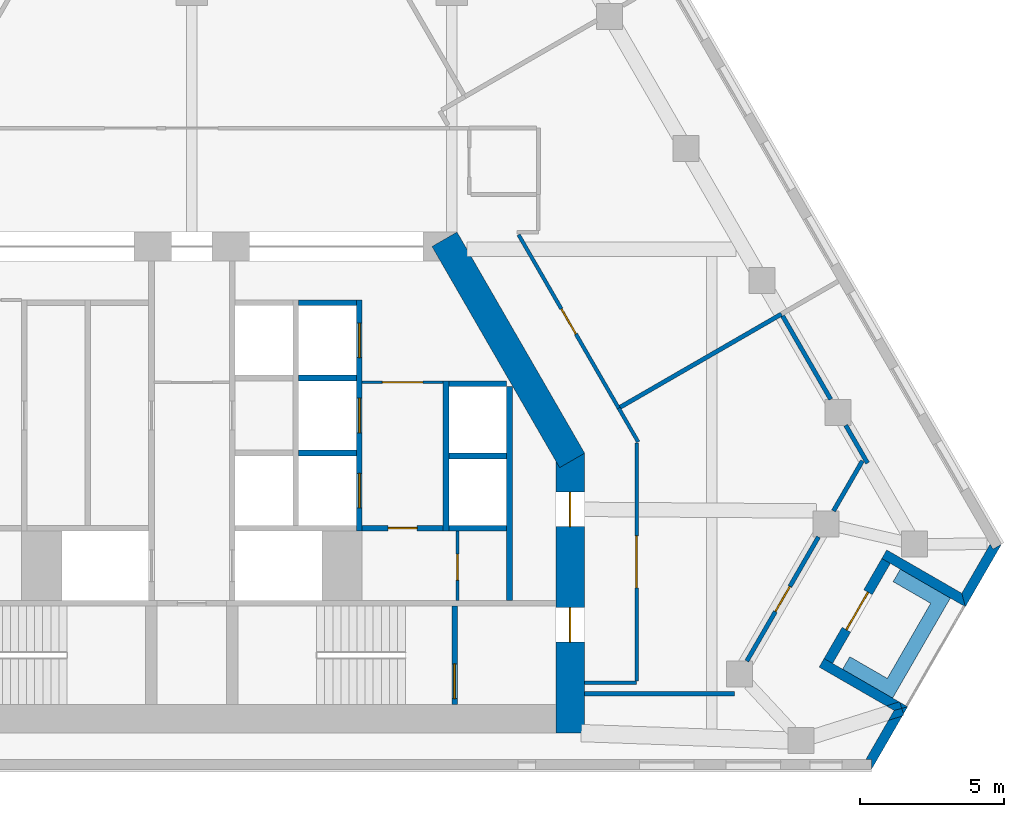
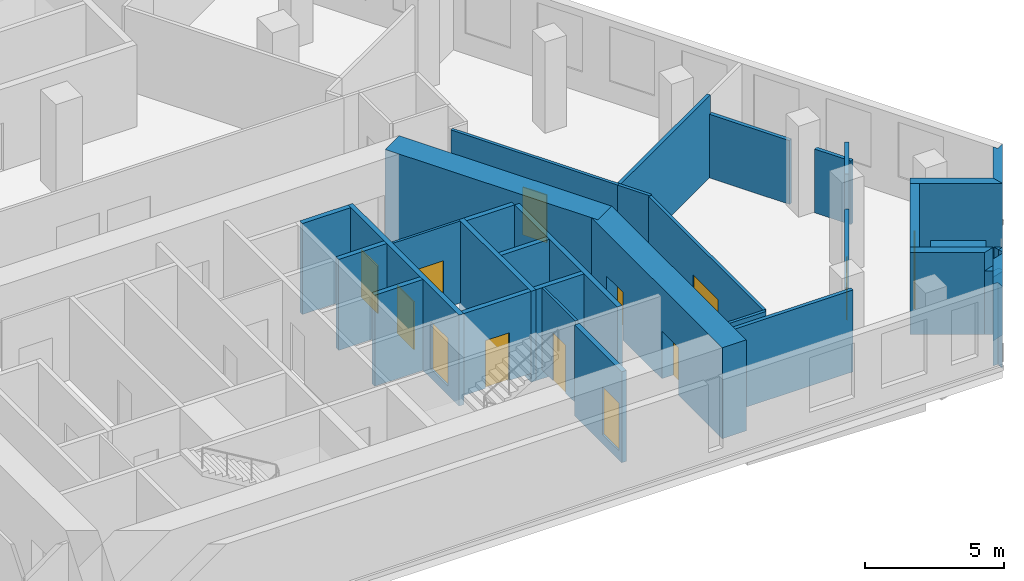
# One storey, part 6 of 9: 35 walls, 13 doors, 13 openings.
"""IFC4 building model written with IfcOpenShell, lengths in metres."""

from ifc_helpers import new_model, si_unit, direction, frame, frame_2d, origin, place, context, subcontext, project, spatial, polyline, rectangle, outline, extrude, material, layer, layer_set, type_object, element, fill, save


model = new_model("IFC4")

# Units and contexts
model_context = context("Model", 3, precision=1e-05, world=origin(), true_north=direction((0.0, 1.0)))
body_context = subcontext(model_context, "Body", "Model", "MODEL_VIEW")
ifc_project = project(units=[si_unit("LENGTHUNIT", "METRE"), si_unit("AREAUNIT", "SQUARE_METRE"), si_unit("VOLUMEUNIT", "CUBIC_METRE"), si_unit("PLANEANGLEUNIT", "RADIAN"), si_unit("MASSUNIT", "GRAM", prefix="KILO")], contexts=[model_context])

# Site, building, storey
site_placement = place(None, origin())
site = spatial("IfcSite", under=ifc_project, at=site_placement, CompositionType="ELEMENT")
building_placement = place(site_placement, origin())
building = spatial("IfcBuilding", under=site, at=building_placement, Name="Fogline Exchange Tower", CompositionType="ELEMENT")
storey_placement = place(building_placement, frame((0.0, 0.0, 186.10009765625)))
storey = spatial("IfcBuildingStorey", under=building, at=storey_placement, Name="L41", CompositionType="ELEMENT", Elevation=186.10009765625)

# Wall, opening, door
ifc_material_1 = material(Name="Blockwork partition", Category="masonry")
ifc_layer_1 = layer(ifc_material_1, 0.10009765625)
ifc_layer_set_1 = layer_set([ifc_layer_1], Name="CW10")
wall_type_1 = type_object("IfcWallType", Name="CW10", PredefinedType="PARTITIONING", material=ifc_layer_set_1)
wall_1_placement = place(storey_placement, frame((5.89990234375, 13.39990234375, 0.0), z_axis=(0.0, 0.0, 1.0), x_axis=(1.0, 0.0, 0.0)))
wall_1 = element("IfcWall", 1, at=wall_1_placement, inside=storey, type_object=wall_type_1, Name="Lift lobby partition", PredefinedType="PARTITIONING", context=body_context, shape_type="SweptSolid", body=[
    extrude(rectangle(XDim=2.800048828125, YDim=0.10009765625, at=frame_2d((1.39990234375, 0.0))), origin(), (0.0, 0.0, 1.0), 3.599853515625),
])
opening_1_placement = place(wall_1_placement, frame((0.699951171875, 0.0, 0.0)))
opening_1 = element("IfcOpeningElement", 2, at=opening_1_placement, cuts=wall_1, Name="Opening T13-C012", PredefinedType="OPENING", context=body_context, shape_type="SweptSolid", body=[
    extrude(rectangle(XDim=1.39990234375, YDim=2.10009765625, at=frame_2d((0.699951171875, 1.050048828125))), frame((0.0, 0.06005859375, 0.0), z_axis=(0.0, -1.0, 0.0), x_axis=(1.0, 0.0, 0.0)), (0.0, 0.0, 1.0), 0.1201171875),
])
ifc_material_2 = material(Name="Steel and timber fire door", Category="steel")
door_type_1 = type_object("IfcDoorType", Name="D-LB1", OperationType="DOUBLE_DOOR_SINGLE_SWING", PredefinedType="DOOR", material=ifc_material_2)
door_1_placement = place(opening_1_placement, frame((1.39990234375, 0.0, 0.0), z_axis=(0.0, 0.0, 1.0), x_axis=(-1.0, 0.0, 0.0)))
door_1 = element("IfcDoor", 3, at=door_1_placement, inside=storey, type_object=door_type_1, Name="Door to lift lobby", OperationType="DOUBLE_DOOR_SINGLE_SWING", OverallHeight=2.10009765625, OverallWidth=1.39990234375, PredefinedType="DOOR", context=body_context, shape_type="SweptSolid", body=[
    extrude(rectangle(XDim=1.39990234375, YDim=2.10009765625, at=frame_2d((0.699951171875, 1.050048828125))), frame((0.0, 0.02490234375, 0.0), z_axis=(0.0, -1.0, 0.0), x_axis=(1.0, 0.0, 0.0)), (0.0, 0.0, 1.0), 0.050048828125),
])
fill(opening_1, door_1)

wall_2_placement = place(storey_placement, frame((9.199951171875, 5.85009765625, 0.0), z_axis=(0.0, 0.0, 1.0), x_axis=(0.0, 1.0, 0.0)))
wall_2 = element("IfcWall", 4, at=wall_2_placement, inside=storey, type_object=wall_type_1, Name="WC partition", PredefinedType="PARTITIONING", context=body_context, shape_type="SweptSolid", body=[
    extrude(rectangle(XDim=2.39990234375, YDim=0.10009765625, at=frame_2d((1.199951171875, 0.0))), origin(), (0.0, 0.0, 1.0), 3.599853515625),
])
opening_2_placement = place(wall_2_placement, frame((0.699951171875, 0.0, 0.0)))
opening_2 = element("IfcOpeningElement", 5, at=opening_2_placement, cuts=wall_2, Name="Opening T13-C014", PredefinedType="OPENING", context=body_context, shape_type="SweptSolid", body=[
    extrude(rectangle(XDim=0.89990234375, YDim=2.10009765625, at=frame_2d((0.449951171875, 1.050048828125))), frame((0.0, 0.06005859375, 0.0), z_axis=(0.0, -1.0, 0.0), x_axis=(1.0, 0.0, 0.0)), (0.0, 0.0, 1.0), 0.1201171875),
])
door_type_2 = type_object("IfcDoorType", Name="D-CS1", OperationType="SINGLE_SWING_RIGHT", PredefinedType="DOOR", material=ifc_material_2)
door_2_placement = place(opening_2_placement, frame((0.89990234375, 0.0, 0.0), z_axis=(0.0, 0.0, 1.0), x_axis=(-1.0, 0.0, 0.0)))
door_2 = element("IfcDoor", 6, at=door_2_placement, inside=storey, type_object=door_type_2, Name="Door to Cleaner's Store", OperationType="SINGLE_SWING_RIGHT", OverallHeight=2.10009765625, OverallWidth=0.89990234375, PredefinedType="DOOR", context=body_context, shape_type="SweptSolid", body=[
    extrude(rectangle(XDim=0.89990234375, YDim=2.10009765625, at=frame_2d((0.449951171875, 1.050048828125))), frame((0.0, 0.02490234375, 0.0), z_axis=(0.0, -1.0, 0.0), x_axis=(1.0, 0.0, 0.0)), (0.0, 0.0, 1.0), 0.050048828125),
])
fill(opening_2, door_2)

# Wall
ifc_material_3 = material(Name="Concrete C40", Category="concrete")
ifc_layer_2 = layer(ifc_material_3, 0.199951171875)
ifc_layer_set_2 = layer_set([ifc_layer_2], Name="CW20")
wall_type_2 = type_object("IfcWallType", Name="CW20", PredefinedType="SOLIDWALL", material=ifc_layer_set_2)
wall_3_placement = place(storey_placement, frame((11.0, 5.85009765625, 0.0), z_axis=(0.0, 0.0, 1.0), x_axis=(0.0, 1.0, 0.0)))
element("IfcWall", 7, at=wall_3_placement, inside=storey, type_object=wall_type_2, Name="Service room wall", PredefinedType="SOLIDWALL", context=body_context, shape_type="SweptSolid", body=[
    extrude(rectangle(XDim=7.39990234375, YDim=0.199951171875, at=frame_2d((3.699951171875, 0.0))), origin(), (0.0, 0.0, 1.0), 3.599853515625),
])

# Wall, opening, door
wall_4_placement = place(storey_placement, frame((5.89990234375, 8.35009765625, 0.0), z_axis=(0.0, 0.0, 1.0), x_axis=(1.0, 0.0, 0.0)))
wall_4 = element("IfcWall", 8, at=wall_4_placement, inside=storey, type_object=wall_type_2, Name="WC wall", PredefinedType="SOLIDWALL", context=body_context, shape_type="SweptSolid", body=[
    extrude(rectangle(XDim=2.800048828125, YDim=0.199951171875, at=frame_2d((1.39990234375, 0.0))), origin(), (0.0, 0.0, 1.0), 3.599853515625),
])
opening_3_placement = place(wall_4_placement, frame((0.89990234375, 0.0, 0.0)))
opening_3 = element("IfcOpeningElement", 9, at=opening_3_placement, cuts=wall_4, Name="Opening T13-C013", PredefinedType="OPENING", context=body_context, shape_type="SweptSolid", body=[
    extrude(rectangle(XDim=1.0, YDim=2.10009765625, at=frame_2d((0.5, 1.050048828125))), frame((0.0, 0.10986328125, 0.0), z_axis=(0.0, -1.0, 0.0), x_axis=(1.0, 0.0, 0.0)), (0.0, 0.0, 1.0), 0.219970703125),
])
door_type_3 = type_object("IfcDoorType", Name="D-WC1", OperationType="SINGLE_SWING_LEFT", PredefinedType="DOOR", material=ifc_material_2)
door_3_placement = place(opening_3_placement, frame((1.0, 0.0, 0.0), z_axis=(0.0, 0.0, 1.0), x_axis=(-1.0, 0.0, 0.0)))
door_3 = element("IfcDoor", 10, at=door_3_placement, inside=storey, type_object=door_type_3, Name="Door to Women's WC", OperationType="SINGLE_SWING_LEFT", OverallHeight=2.10009765625, OverallWidth=1.0, PredefinedType="DOOR", context=body_context, shape_type="SweptSolid", body=[
    extrude(rectangle(XDim=1.0, YDim=2.10009765625, at=frame_2d((0.5, 1.050048828125))), frame((0.0, 0.02490234375, 0.0), z_axis=(0.0, -1.0, 0.0), x_axis=(1.0, 0.0, 0.0)), (0.0, 0.0, 1.0), 0.050048828125),
])
fill(opening_3, door_3)

ifc_layer_3 = layer(ifc_material_3, 0.199951171875)
ifc_layer_set_3 = layer_set([ifc_layer_3], Name="CW20R")
wall_type_3 = type_object("IfcWallType", Name="CW20R", PredefinedType="SOLIDWALL", material=ifc_layer_set_3)
wall_5_placement = place(storey_placement, frame((9.10009765625, 2.25, -0.400146484375), z_axis=(0.0, 0.0, 1.0), x_axis=(0.0, 1.0, 0.0)))
wall_5 = element("IfcWall", 11, at=wall_5_placement, inside=storey, type_object=wall_type_3, Name="Stair enclosure wall", PredefinedType="SOLIDWALL", context=body_context, shape_type="SweptSolid", body=[
    extrude(rectangle(XDim=3.39990234375, YDim=0.199951171875, at=frame_2d((1.699951171875, 0.0))), origin(), (0.0, 0.0, 1.0), 4.0),
])
opening_4_placement = place(wall_5_placement, frame((0.199951171875, 0.0, 0.39990234375)))
opening_4 = element("IfcOpeningElement", 12, at=opening_4_placement, cuts=wall_5, Name="Opening T13-C016", PredefinedType="OPENING", context=body_context, shape_type="SweptSolid", body=[
    extrude(rectangle(XDim=1.199951171875, YDim=2.10009765625, at=frame_2d((0.60009765625, 1.050048828125))), frame((0.0, 0.10986328125, 0.0), z_axis=(0.0, -1.0, 0.0), x_axis=(1.0, 0.0, 0.0)), (0.0, 0.0, 1.0), 0.219970703125),
])
door_type_4 = type_object("IfcDoorType", Name="D-ST1", OperationType="SINGLE_SWING_LEFT", PredefinedType="DOOR", material=ifc_material_2)
door_4_placement = place(opening_4_placement, origin())
door_4 = element("IfcDoor", 13, at=door_4_placement, inside=storey, type_object=door_type_4, Name="Stair door ST2", OperationType="SINGLE_SWING_LEFT", OverallHeight=2.10009765625, OverallWidth=1.199951171875, PredefinedType="DOOR", context=body_context, shape_type="SweptSolid", body=[
    extrude(rectangle(XDim=1.199951171875, YDim=2.10009765625, at=frame_2d((0.60009765625, 1.050048828125))), frame((0.0, 0.02490234375, 0.0), z_axis=(0.0, -1.0, 0.0), x_axis=(1.0, 0.0, 0.0)), (0.0, 0.0, 1.0), 0.050048828125),
])
fill(opening_4, door_4)

# Wall
ifc_layer_4 = layer(ifc_material_3, 0.199951171875)
ifc_layer_set_4 = layer_set([ifc_layer_4], Name="CW20S")
wall_type_4 = type_object("IfcWallType", Name="CW20S", PredefinedType="SOLIDWALL", material=ifc_layer_set_4)
wall_6_placement = place(storey_placement, frame((8.800048828125, 8.25, -0.400146484375), z_axis=(0.0, 0.0, 1.0), x_axis=(0.0, 1.0, 0.0)))
element("IfcWall", 14, at=wall_6_placement, inside=storey, type_object=wall_type_4, Name="Lift shaft wall", PredefinedType="SOLIDWALL", context=body_context, shape_type="SweptSolid", body=[
    extrude(rectangle(XDim=5.199951171875, YDim=0.199951171875, at=frame_2d((2.60009765625, 0.0))), origin(), (0.0, 0.0, 1.0), 4.0),
])

# Wall, openings, doors
wall_7_placement = place(storey_placement, frame((5.800048828125, 8.25, -0.400146484375), z_axis=(0.0, 0.0, 1.0), x_axis=(0.0, 1.0, 0.0)))
wall_7 = element("IfcWall", 15, at=wall_7_placement, inside=storey, type_object=wall_type_4, Name="Lift shaft wall", PredefinedType="SOLIDWALL", context=body_context, shape_type="SweptSolid", body=[
    extrude(rectangle(XDim=8.0, YDim=0.199951171875, at=frame_2d((4.0, 0.0))), origin(), (0.0, 0.0, 1.0), 4.0),
])
opening_5_placement = place(wall_7_placement, frame((0.800048828125, 0.0, 0.39990234375)))
opening_5 = element("IfcOpeningElement", 16, at=opening_5_placement, cuts=wall_7, Name="Opening T13-LD02", PredefinedType="OPENING", context=body_context, shape_type="SweptSolid", body=[
    extrude(rectangle(XDim=1.199951171875, YDim=2.10009765625, at=frame_2d((0.60009765625, 1.050048828125))), frame((0.0, 0.10986328125, 0.0), z_axis=(0.0, -1.0, 0.0), x_axis=(1.0, 0.0, 0.0)), (0.0, 0.0, 1.0), 0.219970703125),
])
opening_6_placement = place(wall_7_placement, frame((3.39990234375, 0.0, 0.39990234375)))
opening_6 = element("IfcOpeningElement", 17, at=opening_6_placement, cuts=wall_7, Name="Opening T13-LD03", PredefinedType="OPENING", context=body_context, shape_type="SweptSolid", body=[
    extrude(rectangle(XDim=1.199951171875, YDim=2.10009765625, at=frame_2d((0.60009765625, 1.050048828125))), frame((0.0, 0.10986328125, 0.0), z_axis=(0.0, -1.0, 0.0), x_axis=(1.0, 0.0, 0.0)), (0.0, 0.0, 1.0), 0.219970703125),
])
opening_7_placement = place(wall_7_placement, frame((6.0, 0.0, 0.39990234375)))
opening_7 = element("IfcOpeningElement", 18, at=opening_7_placement, cuts=wall_7, Name="Opening T13-LD04", PredefinedType="OPENING", context=body_context, shape_type="SweptSolid", body=[
    extrude(rectangle(XDim=1.199951171875, YDim=2.10009765625, at=frame_2d((0.60009765625, 1.050048828125))), frame((0.0, 0.10986328125, 0.0), z_axis=(0.0, -1.0, 0.0), x_axis=(1.0, 0.0, 0.0)), (0.0, 0.0, 1.0), 0.219970703125),
])
door_type_5 = type_object("IfcDoorType", Name="LD1", OperationType="SLIDING_TO_LEFT", PredefinedType="DOOR", material=ifc_material_2)
door_5_placement = place(opening_5_placement, origin())
door_5 = element("IfcDoor", 19, at=door_5_placement, inside=storey, type_object=door_type_5, Name="Landing door MR1", OperationType="SLIDING_TO_LEFT", OverallHeight=2.10009765625, OverallWidth=1.199951171875, PredefinedType="DOOR", context=body_context, shape_type="SweptSolid", body=[
    extrude(rectangle(XDim=1.199951171875, YDim=2.10009765625, at=frame_2d((0.60009765625, 1.050048828125))), frame((0.0, 0.02490234375, 0.0), z_axis=(0.0, -1.0, 0.0), x_axis=(1.0, 0.0, 0.0)), (0.0, 0.0, 1.0), 0.050048828125),
])
fill(opening_5, door_5)
door_6_placement = place(opening_6_placement, origin())
door_6 = element("IfcDoor", 20, at=door_6_placement, inside=storey, type_object=door_type_5, Name="Landing door MR2", OperationType="SLIDING_TO_LEFT", OverallHeight=2.10009765625, OverallWidth=1.199951171875, PredefinedType="DOOR", context=body_context, shape_type="SweptSolid", body=[
    extrude(rectangle(XDim=1.199951171875, YDim=2.10009765625, at=frame_2d((0.60009765625, 1.050048828125))), frame((0.0, 0.02490234375, 0.0), z_axis=(0.0, -1.0, 0.0), x_axis=(1.0, 0.0, 0.0)), (0.0, 0.0, 1.0), 0.050048828125),
])
fill(opening_6, door_6)
door_7_placement = place(opening_7_placement, origin())
door_7 = element("IfcDoor", 21, at=door_7_placement, inside=storey, type_object=door_type_5, Name="Landing door MR3", OperationType="SLIDING_TO_LEFT", OverallHeight=2.10009765625, OverallWidth=1.199951171875, PredefinedType="DOOR", context=body_context, shape_type="SweptSolid", body=[
    extrude(rectangle(XDim=1.199951171875, YDim=2.10009765625, at=frame_2d((0.60009765625, 1.050048828125))), frame((0.0, 0.02490234375, 0.0), z_axis=(0.0, -1.0, 0.0), x_axis=(1.0, 0.0, 0.0)), (0.0, 0.0, 1.0), 0.050048828125),
])
fill(opening_7, door_7)

# Walls
for number, where, z_axis, x_axis, name in (
    (22, (8.89990234375, 8.35009765625, -0.400146484375), (0.0, 0.0, 1.0), (1.0, 0.0, 0.0), "Lift shaft wall"),
    (23, (8.89990234375, 10.85009765625, -0.400146484375), (0.0, 0.0, 1.0), (1.0, 0.0, 0.0), "Lift shaft wall"),
    (24, (8.89990234375, 13.35009765625, -0.400146484375), (0.0, 0.0, 1.0), (1.0, 0.0, 0.0), "Lift shaft wall"),
    (25, (3.699951171875, 10.949951171875, -0.400146484375), (0.0, 0.0, 1.0), (1.0, 0.0, 0.0), "Lift shaft wall"),
    (26, (3.699951171875, 13.550048828125, -0.400146484375), (0.0, 0.0, 1.0), (1.0, 0.0, 0.0), "Lift shaft wall"),
    (27, (3.699951171875, 16.14990234375, -0.400146484375), (0.0, 0.0, 1.0), (1.0, 0.0, 0.0), "Lift shaft wall"),
):
    element("IfcWall", number, at=place(storey_placement, frame(where, z_axis=z_axis, x_axis=x_axis)), inside=storey, type_object=wall_type_4, Name=name, PredefinedType="SOLIDWALL", context=body_context, shape_type="SweptSolid", body=[
        extrude(rectangle(XDim=2.0, YDim=0.199951171875, at=frame_2d((1.0, 0.0))), origin(), (0.0, 0.0, 1.0), 4.0),
    ])
ifc_material_4 = material(Name="Brick masonry", Category="masonry")
ifc_layer_5 = layer(ifc_material_4, 0.340087890625)
ifc_layer_set_5 = layer_set([ifc_layer_5], Name="FW1")
wall_type_5 = type_object("IfcWallType", Name="FW1", PredefinedType="SOLIDWALL", material=ifc_layer_set_5)
wall_8_placement = place(storey_placement, origin())
element("IfcWall", 28, at=wall_8_placement, inside=storey, type_object=wall_type_5, Name="Brick wall L41 SE-c1", PredefinedType="SOLIDWALL", context=body_context, shape_type="SweptSolid", body=[
    extrude(outline(polyline([(24.598388671875, 1.846923828125), (24.1162109375, 1.694580078125), (24.31640625, 2.041015625), (24.577880859375, 2.111083984375), (24.63916015625, 1.917724609375), (24.598388671875, 1.846923828125)])), origin(), (0.0, 0.0, 1.0), 2.7998046875),
])
wall_9_placement = place(storey_placement, origin())
element("IfcWall", 29, at=wall_9_placement, inside=storey, type_object=wall_type_5, Name="Brick wall L41 SE-c1", PredefinedType="SOLIDWALL", context=body_context, shape_type="SweptSolid", body=[
    extrude(outline(polyline([(24.63916015625, 1.917724609375), (24.577880859375, 2.111083984375), (24.7822265625, 2.166015625), (24.782470703125, 2.165771484375), (24.63916015625, 1.917724609375)])), origin(), (0.0, 0.0, 1.0), 3.599853515625),
])
wall_10_placement = place(storey_placement, origin())
element("IfcWall", 30, at=wall_10_placement, inside=storey, type_object=wall_type_5, Name="Brick wall L41 SE-c1", PredefinedType="SOLIDWALL", context=body_context, shape_type="SweptSolid", body=[
    extrude(outline(polyline([(23.53125, -0.001220703125), (23.53076171875, -0.0009765625), (23.53076171875, 0.33935546875), (23.333984375, 0.33935546875), (24.1162109375, 1.694580078125), (24.598388671875, 1.846923828125), (23.53125, -0.001220703125)])), origin(), (0.0, 0.0, 1.0), 3.599853515625),
])
wall_11_placement = place(storey_placement, origin())
element("IfcWall", 31, at=wall_11_placement, inside=storey, type_object=wall_type_5, Name="Brick wall L41 SE-s1", PredefinedType="SOLIDWALL", context=body_context, shape_type="SweptSolid", body=[
    extrude(outline(polyline([(24.511474609375, 2.321533203125), (24.578369140625, 2.110107421875), (24.31689453125, 2.0400390625), (24.045654296875, 2.196533203125), (24.486328125, 2.3359375), (24.511474609375, 2.321533203125)])), origin(), (0.0, 0.0, 1.0), 2.7998046875),
])
wall_12_placement = place(storey_placement, origin())
element("IfcWall", 32, at=wall_12_placement, inside=storey, type_object=wall_type_5, Name="Brick wall L41 SE-s1", PredefinedType="SOLIDWALL", context=body_context, shape_type="SweptSolid", body=[
    extrude(outline(polyline([(21.888671875, 3.8359375), (22.18359375, 3.66552734375), (24.486328125, 2.3359375), (24.045654296875, 2.196533203125), (21.718017578125, 3.540283203125), (21.888671875, 3.8359375)])), origin(), (0.0, 0.0, 1.0), 3.599853515625),
])
wall_13_placement = place(storey_placement, origin())
element("IfcWall", 33, at=wall_13_placement, inside=storey, type_object=wall_type_5, Name="Brick wall L41 SE-s1", PredefinedType="SOLIDWALL", context=body_context, shape_type="SweptSolid", body=[
    extrude(outline(polyline([(24.782470703125, 2.1650390625), (24.782470703125, 2.164794921875), (24.578369140625, 2.110107421875), (24.511474609375, 2.321533203125), (24.782470703125, 2.1650390625)])), origin(), (0.0, 0.0, 1.0), 3.599853515625),
])

# Wall, opening, door
wall_14_placement = place(storey_placement, frame((22.035888671875, 3.75, 0.0), z_axis=(0.0, 0.0, 1.0), x_axis=(0.49999894854, 0.866026010844, 0.0)))
wall_14 = element("IfcWall", 34, at=wall_14_placement, inside=storey, type_object=wall_type_5, Name="Brick wall L41 SE-bk", PredefinedType="SOLIDWALL", context=body_context, shape_type="SweptSolid", body=[
    extrude(rectangle(XDim=4.0, YDim=0.340087890625, at=frame_2d((2.0, 0.0))), origin(), (0.0, 0.0, 1.0), 3.599853515625),
])
opening_8_placement = place(wall_14_placement, frame((1.25, 0.0, 0.0)))
opening_8 = element("IfcOpeningElement", 35, at=opening_8_placement, cuts=wall_14, Name="Opening T13-E081", PredefinedType="OPENING", context=body_context, shape_type="SweptSolid", body=[
    extrude(rectangle(XDim=1.5, YDim=2.39990234375, at=frame_2d((0.75, 1.199951171875))), frame((0.0, 0.18017578125, 0.0), z_axis=(0.0, -1.0, 0.0), x_axis=(1.0, 0.0, 0.0)), (0.0, 0.0, 1.0), 0.360107421875),
])
ifc_material_5 = material(Name="Aluminium and glass", Category="aluminium")
door_type_6 = type_object("IfcDoorType", Name="ED4", OperationType="SINGLE_SWING_LEFT", PredefinedType="DOOR", material=ifc_material_5)
door_8_placement = place(opening_8_placement, frame((1.5, 0.0, 0.0), z_axis=(0.0, 0.0, 1.0), x_axis=(-1.0, 0.0, 0.0)))
door_8 = element("IfcDoor", 36, at=door_8_placement, inside=storey, type_object=door_type_6, Name="Balcony door L41 SE", OperationType="DOUBLE_DOOR_SINGLE_SWING", OverallHeight=2.39990234375, OverallWidth=1.5, PredefinedType="DOOR", context=body_context, shape_type="SweptSolid", body=[
    extrude(rectangle(XDim=1.5, YDim=2.39990234375, at=frame_2d((0.75, 1.199951171875))), frame((0.0, 0.02490234375, 0.0), z_axis=(0.0, -1.0, 0.0), x_axis=(1.0, 0.0, 0.0)), (0.0, 0.0, 1.0), 0.050048828125),
])
fill(opening_8, door_8)

# Walls
wall_15_placement = place(storey_placement, origin())
element("IfcWall", 37, at=wall_15_placement, inside=storey, type_object=wall_type_5, Name="Brick wall L41 SE-s2", PredefinedType="SOLIDWALL", context=body_context, shape_type="SweptSolid", body=[
    extrude(outline(polyline([(26.781982421875, 5.628173828125), (24.182861328125, 7.128662109375), (23.887939453125, 7.298828125), (24.05859375, 7.594482421875), (26.657470703125, 6.093994140625), (26.7822265625, 5.62841796875), (26.781982421875, 5.628173828125)])), origin(), (0.0, 0.0, 1.0), 3.599853515625),
])
wall_16_placement = place(storey_placement, origin())
element("IfcWall", 38, at=wall_16_placement, inside=storey, type_object=wall_type_5, Name="Brick wall L41 SE-c2", PredefinedType="SOLIDWALL", context=body_context, shape_type="SweptSolid", body=[
    extrude(outline(polyline([(27.638671875, 7.79541015625), (27.737060546875, 7.625), (28.031982421875, 7.79541015625), (28.032470703125, 7.794921875), (26.78125, 5.6279296875), (26.781005859375, 5.6279296875), (26.65625, 6.09375), (27.638671875, 7.79541015625)])), origin(), (0.0, 0.0, 1.0), 3.599853515625),
])
ifc_material_6 = material(Name="Concrete C30", Category="concrete")
ifc_layer_6 = layer(ifc_material_6, 0.199951171875)
ifc_layer_set_6 = layer_set([ifc_layer_6], Name="PL1")
wall_type_6 = type_object("IfcWallType", Name="PL1", PredefinedType="USERDEFINED", material=ifc_layer_set_6)
wall_17_placement = place(storey_placement, origin())
element("IfcWall", 39, at=wall_17_placement, inside=storey, type_object=wall_type_6, Name="PLANTER balcony L41 SE", ObjectType="PLANTER", PredefinedType="USERDEFINED", context=body_context, shape_type="SweptSolid", body=[
    extrude(outline(polyline([(22.529541015625, 3.465087890625), (23.82861328125, 2.715087890625), (23.82861328125, 2.715087890625), (24.26171875, 2.465087890625), (26.01171875, 5.49609375), (26.26171875, 5.92919921875), (24.529541015625, 6.92919921875), (24.279541015625, 6.49609375), (25.57861328125, 5.74609375), (24.07861328125, 3.148193359375), (22.779541015625, 3.898193359375), (22.529541015625, 3.465087890625)])), origin(), (0.0, 0.0, 1.0), 1.099853515625),
])

# Wall, opening, door
ifc_material_7 = material(Name="Plasterboard corridor partition with mineral wool, 2 layers each side")
ifc_layer_7 = layer(ifc_material_7, 0.125)
ifc_layer_set_7 = layer_set([ifc_layer_7], Name="PW2")
wall_type_7 = type_object("IfcWallType", Name="PW2", PredefinedType="PARTITIONING", material=ifc_layer_set_7)
wall_18_placement = place(storey_placement, frame((11.3134765625, 18.505859375, 0.0), z_axis=(0.0, 0.0, 1.0), x_axis=(0.49999396906, -0.866028885721, 0.0)))
wall_18 = element("IfcWall", 40, at=wall_18_placement, inside=storey, type_object=wall_type_7, Name="wall-L41-W001", PredefinedType="PARTITIONING", context=body_context, shape_type="SweptSolid", body=[
    extrude(rectangle(XDim=6.92724609375, YDim=0.125, at=frame_2d((3.463623046875, 0.0))), origin(), (0.0, 0.0, 1.0), 3.599853515625),
])
opening_9_placement = place(wall_18_placement, frame((2.963623046875, 0.0, 0.0)))
opening_9 = element("IfcOpeningElement", 41, at=opening_9_placement, cuts=wall_18, Name="Opening T13-D001", PredefinedType="OPENING", context=body_context, shape_type="SweptSolid", body=[
    extrude(rectangle(XDim=1.0, YDim=2.10009765625, at=frame_2d((0.5, 1.050048828125))), frame((0.0, 0.072509765625, 0.0), z_axis=(0.0, -1.0, 0.0), x_axis=(1.0, 0.0, 0.0)), (0.0, 0.0, 1.0), 0.14501953125),
])
ifc_material_8 = material(Name="Fire-rated timber door leaf with steel frame", Category="steel")
door_type_7 = type_object("IfcDoorType", Name="D3", OperationType="SINGLE_SWING_LEFT", PredefinedType="DOOR", material=ifc_material_8)
door_9_placement = place(opening_9_placement, origin())
door_9 = element("IfcDoor", 42, at=door_9_placement, inside=storey, type_object=door_type_7, Name="door-L41-D001", OperationType="SINGLE_SWING_RIGHT", OverallHeight=2.10009765625, OverallWidth=1.0, PredefinedType="DOOR", context=body_context, shape_type="SweptSolid", body=[
    extrude(rectangle(XDim=1.0, YDim=2.10009765625, at=frame_2d((0.5, 1.050048828125))), frame((0.0, 0.02490234375, 0.0), z_axis=(0.0, -1.0, 0.0), x_axis=(1.0, 0.0, 0.0)), (0.0, 0.0, 1.0), 0.050048828125),
])
fill(opening_9, door_9)

# Wall
wall_19_placement = place(storey_placement, frame((14.777099609375, 12.506591796875, 0.0), z_axis=(0.0, 0.0, 1.0), x_axis=(0.500055336774, -0.865993452726, 0.0)))
element("IfcWall", 43, at=wall_19_placement, inside=storey, type_object=wall_type_7, Name="wall-L41-W002", PredefinedType="PARTITIONING", context=body_context, shape_type="SweptSolid", body=[
    extrude(rectangle(XDim=1.354248046875, YDim=0.125, at=frame_2d((0.67724609375, 0.0))), origin(), (0.0, 0.0, 1.0), 3.599853515625),
])

# Wall, opening, door
wall_20_placement = place(storey_placement, frame((15.39990234375, 11.302734375, 0.0), z_axis=(0.0, 0.0, 1.0), x_axis=(0.0, -1.0, 0.0)))
wall_20 = element("IfcWall", 44, at=wall_20_placement, inside=storey, type_object=wall_type_7, Name="wall-L41-W003", PredefinedType="PARTITIONING", context=body_context, shape_type="SweptSolid", body=[
    extrude(rectangle(XDim=8.240234375, YDim=0.125, at=frame_2d((4.1201171875, 0.0))), origin(), (0.0, 0.0, 1.0), 3.599853515625),
])
opening_10_placement = place(wall_20_placement, frame((3.22021484375, 0.0, 0.0)))
opening_10 = element("IfcOpeningElement", 45, at=opening_10_placement, cuts=wall_20, Name="Opening T13-D002", PredefinedType="OPENING", context=body_context, shape_type="SweptSolid", body=[
    extrude(rectangle(XDim=1.800048828125, YDim=2.10009765625, at=frame_2d((0.89990234375, 1.050048828125))), frame((0.0, 0.072509765625, 0.0), z_axis=(0.0, -1.0, 0.0), x_axis=(1.0, 0.0, 0.0)), (0.0, 0.0, 1.0), 0.14501953125),
])
ifc_material_9 = material(Name="Fire-rated timber door leaves with steel frame", Category="steel")
door_type_8 = type_object("IfcDoorType", Name="D4", OperationType="DOUBLE_DOOR_SINGLE_SWING", PredefinedType="DOOR", material=ifc_material_9)
door_10_placement = place(opening_10_placement, frame((1.800048828125, 0.0, 0.0), z_axis=(0.0, 0.0, 1.0), x_axis=(-1.0, 0.0, 0.0)))
door_10 = element("IfcDoor", 46, at=door_10_placement, inside=storey, type_object=door_type_8, Name="door-L41-D002", OperationType="DOUBLE_DOOR_SINGLE_SWING", OverallHeight=2.10009765625, OverallWidth=1.800048828125, PredefinedType="DOOR", context=body_context, shape_type="SweptSolid", body=[
    extrude(rectangle(XDim=1.800048828125, YDim=2.10009765625, at=frame_2d((0.89990234375, 1.050048828125))), frame((0.0, 0.02490234375, 0.0), z_axis=(0.0, -1.0, 0.0), x_axis=(1.0, 0.0, 0.0)), (0.0, 0.0, 1.0), 0.050048828125),
])
fill(opening_10, door_10)

# Walls
wall_21_placement = place(storey_placement, frame((15.39990234375, 3.0, 0.0), z_axis=(0.0, 0.0, 1.0), x_axis=(-1.0, 0.0, 0.0)))
element("IfcWall", 47, at=wall_21_placement, inside=storey, type_object=wall_type_7, Name="wall-L41-W004", PredefinedType="PARTITIONING", context=body_context, shape_type="SweptSolid", body=[
    extrude(rectangle(XDim=1.7998046875, YDim=0.125, at=frame_2d((0.89990234375, 0.0))), origin(), (0.0, 0.0, 1.0), 3.599853515625),
])
ifc_material_10 = material(Name="Plasterboard demising partition with mineral wool and acoustic board")
ifc_layer_8 = layer(ifc_material_10, 0.14990234375)
ifc_layer_set_8 = layer_set([ifc_layer_8], Name="PW3")
wall_type_8 = type_object("IfcWallType", Name="PW3", PredefinedType="PARTITIONING", material=ifc_layer_set_8)
wall_22_placement = place(storey_placement, frame((20.414794921875, 15.761474609375, 0.0), z_axis=(0.0, 0.0, 1.0), x_axis=(-0.866025414547, -0.499999981359, 0.0)))
element("IfcWall", 48, at=wall_22_placement, inside=storey, type_object=wall_type_8, Name="wall-L41-W026", PredefinedType="PARTITIONING", context=body_context, shape_type="SweptSolid", body=[
    extrude(rectangle(XDim=6.447265625, YDim=0.14990234375, at=frame_2d((3.2236328125, 0.0))), origin(), (0.0, 0.0, 1.0), 3.599853515625),
])
wall_23_placement = place(storey_placement, frame((13.60009765625, 2.612548828125, 0.0), z_axis=(0.0, 0.0, 1.0), x_axis=(1.0, 0.0, 0.0)))
element("IfcWall", 49, at=wall_23_placement, inside=storey, type_object=wall_type_8, Name="wall-L41-W042", PredefinedType="PARTITIONING", context=body_context, shape_type="SweptSolid", body=[
    extrude(rectangle(XDim=5.18115234375, YDim=0.14990234375, at=frame_2d((2.590576171875, 0.0))), origin(), (0.0, 0.0, 1.0), 3.599853515625),
])

# Wall, opening, door
wall_24_placement = place(storey_placement, frame((19.215087890625, 3.7490234375, 0.0), z_axis=(0.0, 0.0, 1.0), x_axis=(0.500013557629, 0.866017576142, 0.0)))
wall_24 = element("IfcWall", 50, at=wall_24_placement, inside=storey, type_object=wall_type_8, Name="wall-L41-W043", PredefinedType="PARTITIONING", context=body_context, shape_type="SweptSolid", body=[
    extrude(rectangle(XDim=4.960693359375, YDim=0.14990234375, at=frame_2d((2.48046875, 0.0))), origin(), (0.0, 0.0, 1.0), 2.7998046875),
])
opening_11_placement = place(wall_24_placement, frame((1.98046875, 0.0, 0.0)))
opening_11 = element("IfcOpeningElement", 51, at=opening_11_placement, cuts=wall_24, Name="Opening T13-D013", PredefinedType="OPENING", context=body_context, shape_type="SweptSolid", body=[
    extrude(rectangle(XDim=1.0, YDim=2.10009765625, at=frame_2d((0.5, 1.050048828125))), frame((0.0, 0.0849609375, 0.0), z_axis=(0.0, -1.0, 0.0), x_axis=(1.0, 0.0, 0.0)), (0.0, 0.0, 1.0), 0.169921875),
])
door_11_placement = place(opening_11_placement, frame((1.0, 0.0, 0.0), z_axis=(0.0, 0.0, 1.0), x_axis=(-1.0, 0.0, 0.0)))
door_11 = element("IfcDoor", 52, at=door_11_placement, inside=storey, type_object=door_type_7, Name="door-L41-D013", OperationType="SINGLE_SWING_LEFT", OverallHeight=2.10009765625, OverallWidth=1.0, PredefinedType="DOOR", context=body_context, shape_type="SweptSolid", body=[
    extrude(rectangle(XDim=1.0, YDim=2.10009765625, at=frame_2d((0.5, 1.050048828125))), frame((0.0, 0.02490234375, 0.0), z_axis=(0.0, -1.0, 0.0), x_axis=(1.0, 0.0, 0.0)), (0.0, 0.0, 1.0), 0.050048828125),
])
fill(opening_11, door_11)

# Walls
wall_25_placement = place(storey_placement, frame((22.215087890625, 8.9453125, 0.0), z_axis=(0.0, 0.0, 1.0), x_axis=(0.499950878181, 0.866053762422, 0.0)))
element("IfcWall", 53, at=wall_25_placement, inside=storey, type_object=wall_type_8, Name="wall-L41-W044", PredefinedType="PARTITIONING", context=body_context, shape_type="SweptSolid", body=[
    extrude(rectangle(XDim=2.004638671875, YDim=0.14990234375, at=frame_2d((1.00244140625, 0.0))), origin(), (0.0, 0.0, 1.0), 3.599853515625),
])
wall_26_placement = place(storey_placement, frame((23.393798828125, 10.6015625, 0.0), z_axis=(0.0, 0.0, 1.0), x_axis=(-0.499960093054, 0.866048442845, 0.0)))
element("IfcWall", 54, at=wall_26_placement, inside=storey, type_object=wall_type_8, Name="wall-L41-W045", PredefinedType="PARTITIONING", context=body_context, shape_type="SweptSolid", body=[
    extrude(rectangle(XDim=1.51171875, YDim=0.14990234375, at=frame_2d((0.755859375, 0.0))), origin(), (0.0, 0.0, 1.0), 2.7998046875),
])
wall_27_placement = place(storey_placement, frame((22.118408203125, 12.810791015625, 0.0), z_axis=(0.0, 0.0, 1.0), x_axis=(-0.500039553057, 0.866002566612, 0.0)))
element("IfcWall", 55, at=wall_27_placement, inside=storey, type_object=wall_type_8, Name="wall-L41-W046", PredefinedType="PARTITIONING", context=body_context, shape_type="SweptSolid", body=[
    extrude(rectangle(XDim=3.332275390625, YDim=0.14990234375, at=frame_2d((1.666015625, 0.0))), origin(), (0.0, 0.0, 1.0), 2.7998046875),
])

# Wall, openings, doors
ifc_material_11 = material(Name="Concrete C60", Category="concrete")
ifc_layer_9 = layer(ifc_material_11, 1.0)
ifc_layer_set_9 = layer_set([ifc_layer_9], Name="SW03")
wall_type_9 = type_object("IfcWallType", Name="SW03", PredefinedType="SHEAR", material=ifc_layer_set_9)
wall_28_placement = place(storey_placement, frame((13.10009765625, 1.25, 0.0), z_axis=(0.0, 0.0, 1.0), x_axis=(0.0, 1.0, 0.0)))
wall_28 = element("IfcWall", 56, at=wall_28_placement, inside=storey, type_object=wall_type_9, Name="L41-W902", PredefinedType="SHEAR", context=body_context, shape_type="SweptSolid", body=[
    extrude(rectangle(XDim=9.6953125, YDim=1.0, at=frame_2d((4.84765625, 0.0))), origin(), (0.0, 0.0, 1.0), 4.0),
])
opening_12_placement = place(wall_28_placement, frame((3.14990234375, 0.0, 0.0)))
opening_12 = element("IfcOpeningElement", 57, at=opening_12_placement, cuts=wall_28, Name="Opening T13-C015", PredefinedType="OPENING", context=body_context, shape_type="SweptSolid", body=[
    extrude(rectangle(XDim=1.199951171875, YDim=2.10009765625, at=frame_2d((0.60009765625, 1.050048828125))), frame((0.0, 0.510009765625, 0.0), z_axis=(0.0, -1.0, 0.0), x_axis=(1.0, 0.0, 0.0)), (0.0, 0.0, 1.0), 1.02001953125),
])
opening_13_placement = place(wall_28_placement, frame((7.14990234375, 0.0, 0.0)))
opening_13 = element("IfcOpeningElement", 58, at=opening_13_placement, cuts=wall_28, Name="Opening T13-C017", PredefinedType="OPENING", context=body_context, shape_type="SweptSolid", body=[
    extrude(rectangle(XDim=1.199951171875, YDim=2.10009765625, at=frame_2d((0.60009765625, 1.050048828125))), frame((0.0, 0.510009765625, 0.0), z_axis=(0.0, -1.0, 0.0), x_axis=(1.0, 0.0, 0.0)), (0.0, 0.0, 1.0), 1.02001953125),
])
door_type_9 = type_object("IfcDoorType", Name="D-FR1", OperationType="SINGLE_SWING_RIGHT", PredefinedType="DOOR", material=ifc_material_2)
door_12_placement = place(opening_12_placement, origin())
door_12 = element("IfcDoor", 59, at=door_12_placement, inside=storey, type_object=door_type_9, Name="Front room door ST2", OperationType="SINGLE_SWING_RIGHT", OverallHeight=2.10009765625, OverallWidth=1.199951171875, PredefinedType="DOOR", context=body_context, shape_type="SweptSolid", body=[
    extrude(rectangle(XDim=1.199951171875, YDim=2.10009765625, at=frame_2d((0.60009765625, 1.050048828125))), frame((0.0, 0.02490234375, 0.0), z_axis=(0.0, -1.0, 0.0), x_axis=(1.0, 0.0, 0.0)), (0.0, 0.0, 1.0), 0.050048828125),
])
fill(opening_12, door_12)
door_type_10 = type_object("IfcDoorType", Name="D-SV1", OperationType="SINGLE_SWING_LEFT", PredefinedType="DOOR", material=ifc_material_2)
door_13_placement = place(opening_13_placement, origin())
door_13 = element("IfcDoor", 60, at=door_13_placement, inside=storey, type_object=door_type_10, Name="Service door E", OperationType="SINGLE_SWING_RIGHT", OverallHeight=2.10009765625, OverallWidth=1.199951171875, PredefinedType="DOOR", context=body_context, shape_type="SweptSolid", body=[
    extrude(rectangle(XDim=1.199951171875, YDim=2.10009765625, at=frame_2d((0.60009765625, 1.050048828125))), frame((0.0, 0.02490234375, 0.0), z_axis=(0.0, -1.0, 0.0), x_axis=(1.0, 0.0, 0.0)), (0.0, 0.0, 1.0), 0.050048828125),
])
fill(opening_13, door_13)

# Wall
wall_29_placement = place(storey_placement, frame((13.1669921875, 10.6953125, 0.0), z_axis=(0.0, 0.0, 1.0), x_axis=(-0.499995021168, 0.866028278295, 0.0)))
element("IfcWall", 61, at=wall_29_placement, inside=storey, type_object=wall_type_9, Name="L41-W903", PredefinedType="SHEAR", context=body_context, shape_type="SweptSolid", body=[
    extrude(rectangle(XDim=8.8388671875, YDim=1.0, at=frame_2d((4.41943359375, 0.0))), origin(), (0.0, 0.0, 1.0), 4.0),
])

save(model, "model.ifc")
